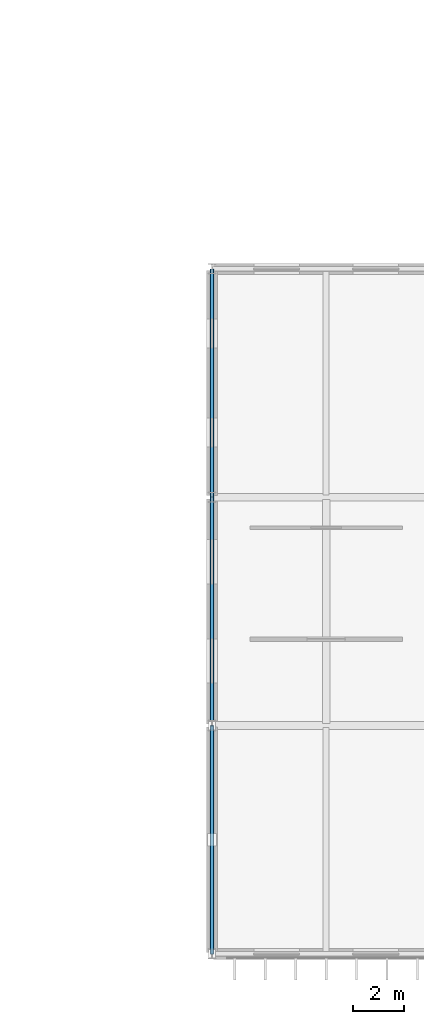
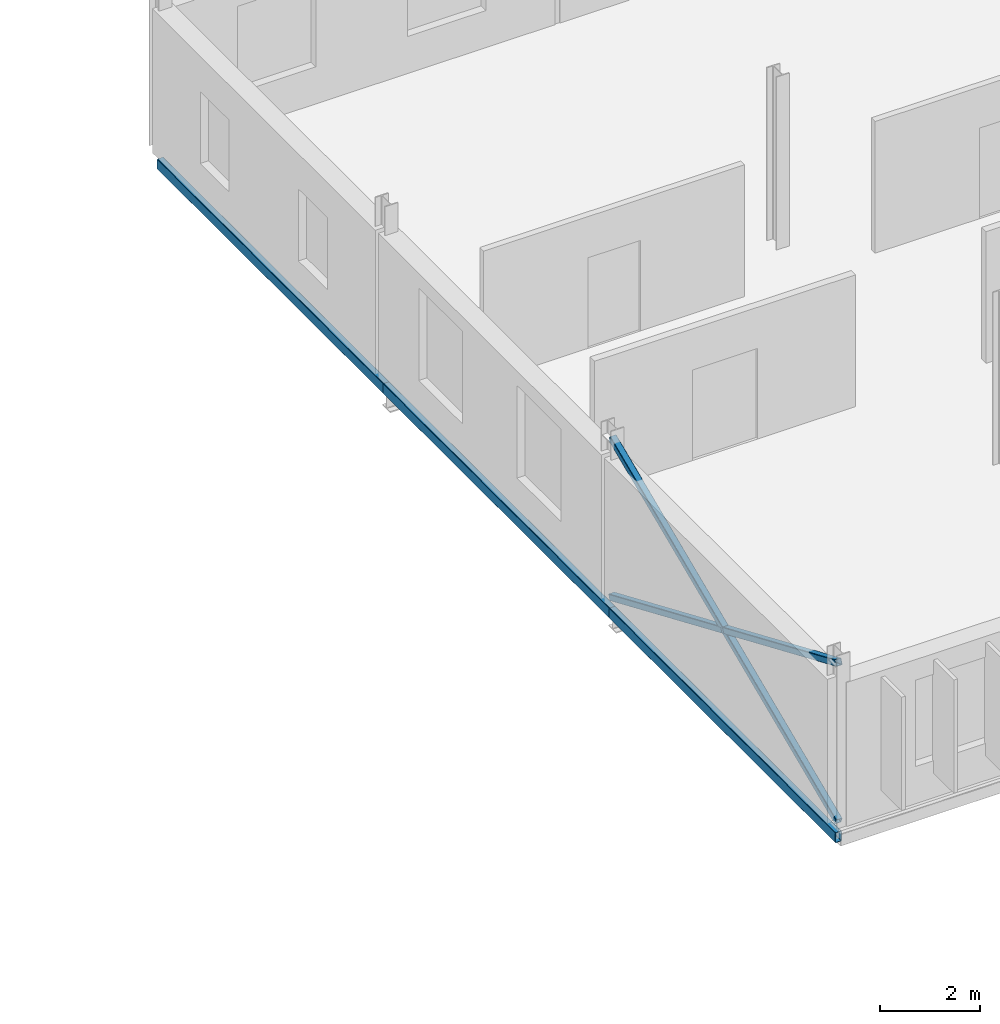
# One storey, part 41 of 161: 3 beams, 3 members.
"""IFC4 building model written with IfcOpenShell, lengths in metres."""

import ifcopenshell
import ifcopenshell.guid

model = None  # the IFC model being written
_history = None  # IfcOwnerHistory: only IFC2X3 demands one
_inside = {}  # id of a spatial element -> (the spatial element, [elements in it])
_under = {}  # id of a project, library or spatial element -> (it, [spatial elements below it])
_declared = {}  # id of a project -> (the project, [libraries it declares])
_typed = {}  # id of a type object -> (the type object, [elements of that type])
_made_of = {}  # id of a material, layer set ... -> (it, [elements and type objects made of it])


def new_model(schema):
    """Start an empty IFC model of exactly this schema.

    Asked for "IFC4X3", IfcOpenShell would pick the latest addendum, in which some entities
    have other attributes; the version numbers below select the first issue.
    IFC2X3 requires an IfcOwnerHistory on every rooted entity: one is made here for all.
    """
    global model, _history
    if schema == "IFC4X3":
        model = ifcopenshell.file(schema_version=(4, 3, 0, 0))
    else:
        model = ifcopenshell.file(schema=schema)
    _inside.clear()
    _under.clear()
    _declared.clear()
    _typed.clear()
    _made_of.clear()
    _history = None
    if model.schema == "IFC2X3":
        org = make("IfcOrganization", Name="unknown")
        user = make(
            "IfcPersonAndOrganization",
            ThePerson=make("IfcPerson", FamilyName="unknown"),
            TheOrganization=org,
        )
        app = make(
            "IfcApplication",
            ApplicationDeveloper=org,
            Version="unknown",
            ApplicationFullName="unknown",
            ApplicationIdentifier="unknown",
        )
        _history = make(
            "IfcOwnerHistory",
            OwningUser=user,
            OwningApplication=app,
            ChangeAction="ADDED",
            CreationDate=0,
        )
    return model


def make(cls, **values):
    """One entity of the class cls with the attributes given. An attribute that is None is left unset."""
    return model.create_entity(
        cls, **{name: value for name, value in values.items() if value is not None}
    )


def rooted(cls, **values):
    """An entity with a GlobalId (a new one), such as an element, a storey or a relation."""
    return make(cls, GlobalId=ifcopenshell.guid.new(), OwnerHistory=_history, **values)


def si_unit(unit_type, name, prefix=None):
    """IfcSIUnit, for example si_unit("LENGTHUNIT", "METRE", prefix="MILLI")."""
    return make("IfcSIUnit", UnitType=unit_type, Prefix=prefix, Name=name)


def assignment(units):
    """IfcUnitAssignment: the units of a project."""
    return None if units is None else make("IfcUnitAssignment", Units=units)


def point(xyz):
    """IfcCartesianPoint."""
    return None if xyz is None else make("IfcCartesianPoint", Coordinates=xyz)


def direction(xyz):
    """IfcDirection."""
    return None if xyz is None else make("IfcDirection", DirectionRatios=xyz)


def frame(location, z_axis=None, x_axis=None):
    """IfcAxis2Placement3D, a coordinate frame: its origin and axes. An axis left out is left unset."""
    return make(
        "IfcAxis2Placement3D",
        Location=point(location),
        Axis=direction(z_axis),
        RefDirection=direction(x_axis),
    )


def frame_2d(location, x_axis=None):
    """IfcAxis2Placement2D, a coordinate frame in the plane: its origin and x axis."""
    return make(
        "IfcAxis2Placement2D", Location=point(location), RefDirection=direction(x_axis)
    )


def origin():
    """The frame at (0, 0, 0) with its axes left unset."""
    return frame((0.0, 0.0, 0.0))


def origin_2d():
    """The frame at (0, 0) in the plane with its x axis left unset."""
    return frame_2d((0.0, 0.0))


def place(relative_to, where):
    """IfcLocalPlacement: puts the frame where relative to a parent placement (None: the world)."""
    return make(
        "IfcLocalPlacement", PlacementRelTo=relative_to, RelativePlacement=where
    )


def context(
    kind, dimensions, precision=None, world=None, true_north=None, identifier=None
):
    """IfcGeometricRepresentationContext, for example the 3D "Model" context."""
    return make(
        "IfcGeometricRepresentationContext",
        ContextIdentifier=identifier,
        ContextType=kind,
        CoordinateSpaceDimension=dimensions,
        Precision=precision,
        WorldCoordinateSystem=world,
        TrueNorth=true_north,
    )


def subcontext(parent, identifier, kind, view, scale=None):
    """IfcGeometricRepresentationSubContext, for example "Body" below "Model"."""
    return make(
        "IfcGeometricRepresentationSubContext",
        ContextIdentifier=identifier,
        ContextType=kind,
        ParentContext=parent,
        TargetScale=scale,
        TargetView=view,
    )


def project(units=None, contexts=None):
    """IfcProject with its units and contexts."""
    return rooted(
        "IfcProject",
        Name="project",
        RepresentationContexts=contexts,
        UnitsInContext=assignment(units),
    )


def spatial(cls, under=None, at=None, **own):
    """A site, building, storey or space (cls), placed at a placement, below another one or the project."""
    s = rooted(cls, ObjectPlacement=at, **own)
    if under is not None:
        _under.setdefault(under.id(), (under, []))[1].append(s)
    return s


def profile(cls, at=None, kind="AREA", **sizes):
    """A parametric profile (cls). Its sizes go by their IFC names, for example OverallWidth=200.0."""
    return make(cls, ProfileType=kind, Position=at, **sizes)


def hollow_rectangle(**sizes):
    """IfcRectangleHollowProfileDef."""
    return profile("IfcRectangleHollowProfileDef", **sizes)


def extrude(swept, where, along, depth):
    """IfcExtrudedAreaSolid: the profile swept, set in the frame where, extruded along a direction by depth."""
    return make(
        "IfcExtrudedAreaSolid",
        SweptArea=swept,
        Position=where,
        ExtrudedDirection=direction(along),
        Depth=depth,
    )


def shape(context_of_items, identifier, shape_type, items):
    """IfcShapeRepresentation: the items that make up one representation, for example the "Body"."""
    return make(
        "IfcShapeRepresentation",
        ContextOfItems=context_of_items,
        RepresentationIdentifier=identifier,
        RepresentationType=shape_type,
        Items=items,
    )


def material(Name=None, Category=None):
    """IfcMaterial."""
    return make("IfcMaterial", Name=Name, Category=Category)


def material_profile(
    of_material, cross_section, Name=None, Category=None, Priority=None
):
    """IfcMaterialProfile: a cross section and its material."""
    return make(
        "IfcMaterialProfile",
        Name=Name,
        Material=of_material,
        Profile=cross_section,
        Priority=Priority,
        Category=Category,
    )


def profile_set(profiles, Name=None, composite=None):
    """IfcMaterialProfileSet."""
    return make(
        "IfcMaterialProfileSet",
        Name=Name,
        MaterialProfiles=profiles,
        CompositeProfile=composite,
    )


def made_of(thing, what):
    """Note that an element or type object is made of a material, layer set ...; save() writes the relation."""
    if what is not None:
        _made_of.setdefault(what.id(), (what, []))[1].append(thing)
    return thing


def type_object(cls, material=None, **own):
    """A type object (cls), such as IfcWallType, which elements share."""
    return made_of(rooted(cls, **own), material)


def element(
    cls,
    number,
    at=None,
    inside=None,
    cuts=None,
    type_object=None,
    material=None,
    context=None,
    identifier="Body",
    shape_type=None,
    held_by="IfcProductDefinitionShape",
    body=None,
    shapes=None,
    **own,
):
    """One element of the class cls, such as IfcWall. Its Tag is "e" and its number.

    at: its placement. inside: the storey or other place that contains it. cuts: it is an
    opening in that element (IfcRelVoidsElement). A single representation is given by context,
    identifier, shape_type and body (its items); several are given by shapes. held_by: the class
    of the entity that holds the representations. save() writes the other relations.
    """
    e = rooted(cls, Tag="e%d" % number, ObjectPlacement=at, **own)
    if body is not None:
        shapes = [shape(context, identifier, shape_type, body)]
    if shapes is not None:
        e.Representation = make(held_by, Representations=shapes)
    if inside is not None:
        _inside.setdefault(inside.id(), (inside, []))[1].append(e)
    if cuts is not None:
        rooted(
            "IfcRelVoidsElement", RelatingBuildingElement=cuts, RelatedOpeningElement=e
        )
    if type_object is not None:
        _typed.setdefault(type_object.id(), (type_object, []))[1].append(e)
    return made_of(e, material)


def aggregate(whole, parts):
    """IfcRelAggregates: a whole, such as a stair, and the parts it consists of."""
    return rooted("IfcRelAggregates", RelatingObject=whole, RelatedObjects=parts)


def save(model, path):
    """Write the relations noted so far, then the file.

    IfcRelAggregates (storeys below a building ...), IfcRelContainedInSpatialStructure (elements
    in a storey), IfcRelDefinesByType, IfcRelAssociatesMaterial and IfcRelDeclares: one each for
    every whole, place, type object, material and project.
    """
    for whole, parts in _under.values():
        aggregate(whole, parts)
    for where, things in _inside.values():
        rooted(
            "IfcRelContainedInSpatialStructure",
            RelatedElements=things,
            RelatingStructure=where,
        )
    for kind, things in _typed.values():
        rooted("IfcRelDefinesByType", RelatedObjects=things, RelatingType=kind)
    for what, things in _made_of.values():
        rooted("IfcRelAssociatesMaterial", RelatedObjects=things, RelatingMaterial=what)
    for by, libraries in _declared.values():
        rooted("IfcRelDeclares", RelatingContext=by, RelatedDefinitions=libraries)
    model.write(path)


model = new_model("IFC4")

# Units and contexts
model_context = context("Model", 3, precision=1e-05, world=origin(), true_north=direction((0.0, 1.0)))
body_context = subcontext(model_context, "Body", "Model", "MODEL_VIEW")
ifc_project = project(units=[si_unit("LENGTHUNIT", "METRE"), si_unit("AREAUNIT", "SQUARE_METRE"), si_unit("VOLUMEUNIT", "CUBIC_METRE"), si_unit("PLANEANGLEUNIT", "RADIAN"), si_unit("MASSUNIT", "GRAM", prefix="KILO")], contexts=[model_context])

# Site, building, storey
site_placement = place(None, origin())
site = spatial("IfcSite", under=ifc_project, at=site_placement, CompositionType="ELEMENT")
building_placement = place(site_placement, origin())
building = spatial("IfcBuilding", under=site, at=building_placement, Name="Kildeholm Park Wholesale Market", CompositionType="ELEMENT")
storey_placement = place(building_placement, frame((0.0, 0.0, 5.39990234375)))
storey = spatial("IfcBuildingStorey", under=building, at=storey_placement, Name="L01", CompositionType="ELEMENT", Elevation=5.39990234375)

# Beams
ifc_material = material(Name="Steel S355", Category="steel")
ifc_material_profile_1 = material_profile(ifc_material, hollow_rectangle(XDim=0.14990234375, YDim=0.25, WallThickness=0.010009765625, InnerFilletRadius=0.010009765625, OuterFilletRadius=0.02001953125, at=origin_2d()), Name="RHS 250x150x10")
ifc_profile_set_1 = profile_set([ifc_material_profile_1], Name="Steel S355")
beam_type = type_object("IfcBeamType", Name="Beam SP-02 RHS 250x150x10", PredefinedType="SPANDREL", material=ifc_profile_set_1)
for number, where, z_axis, x_axis, name in (
    (1, (126.0, 0.0, -0.364990234375), (0.0, 1.0, 0.0), (-1.0, 0.0, 0.0), "Beam BM-V5E-L01-Y-126-000 BM-1523"),
    (2, (126.0, 9.0, -0.364990234375), (0.0, 1.0, 0.0), (-1.0, 0.0, 0.0), "Beam BM-V5E-L01-Y-126-009 BM-1526"),
    (3, (126.0, 18.0, -0.364990234375), (0.0, 1.0, 0.0), (-1.0, 0.0, 0.0), "Beam BM-V5E-L01-Y-126-018 BM-1529"),
):
    element("IfcBeam", number, at=place(storey_placement, frame(where, z_axis=z_axis, x_axis=x_axis)), inside=storey, type_object=beam_type, Name=name, PredefinedType="SPANDREL", context=body_context, shape_type="SweptSolid", body=[
        extrude(hollow_rectangle(XDim=0.14990234375, YDim=0.25, WallThickness=0.010009765625, InnerFilletRadius=0.010009765625, OuterFilletRadius=0.02001953125, at=origin_2d()), origin(), (0.0, 0.0, 1.0), 9.0),
    ])

# Members
ifc_material_profile_2 = material_profile(ifc_material, hollow_rectangle(XDim=0.14990234375, YDim=0.14990234375, WallThickness=0.010009765625, InnerFilletRadius=0.010009765625, OuterFilletRadius=0.02001953125, at=origin_2d()), Name="SHS 150x150x10")
ifc_profile_set_2 = profile_set([ifc_material_profile_2], Name="Steel S355")
member_type = type_object("IfcMemberType", Name="Member TB-03 SHS 150x150x10", PredefinedType="BRACE", material=ifc_profile_set_2)
member_placement = place(storey_placement, frame((126.0, 0.0, 0.02001953125), z_axis=(0.0, 0.91903538651, 0.394175035159), x_axis=(-1.0, 0.0, 0.0)))
element("IfcMember", 4, at=member_placement, inside=storey, type_object=member_type, Name="Member BR-V5E-L01-1 MEM-0369", PredefinedType="BRACE", context=body_context, shape_type="SweptSolid", body=[
    extrude(hollow_rectangle(XDim=0.14990234375, YDim=0.14990234375, WallThickness=0.010009765625, InnerFilletRadius=0.010009765625, OuterFilletRadius=0.02001953125, at=origin_2d()), origin(), (0.0, 0.0, 1.0), 9.79296875),
])
for number, where, z_axis, x_axis, name in (
    (5, (126.0, 9.0, 0.02001953125), (0.0, -0.919030578096, 0.394186245985), (1.0, 0.0, 0.0), "Member BR-V5E-L01-2A MEM-0370"),
    (6, (126.0, 4.463134765625, 1.9658203125), (0.0, -0.919030578096, 0.394186245985), (1.0, 0.0, 0.0), "Member BR-V5E-L01-2B MEM-0371"),
):
    element("IfcMember", number, at=place(storey_placement, frame(where, z_axis=z_axis, x_axis=x_axis)), inside=storey, type_object=member_type, Name=name, PredefinedType="BRACE", context=body_context, shape_type="SweptSolid", body=[
        extrude(hollow_rectangle(XDim=0.14990234375, YDim=0.14990234375, WallThickness=0.010009765625, InnerFilletRadius=0.010009765625, OuterFilletRadius=0.02001953125, at=origin_2d()), origin(), (0.0, 0.0, 1.0), 4.8564453125),
    ])

save(model, "model.ifc")
